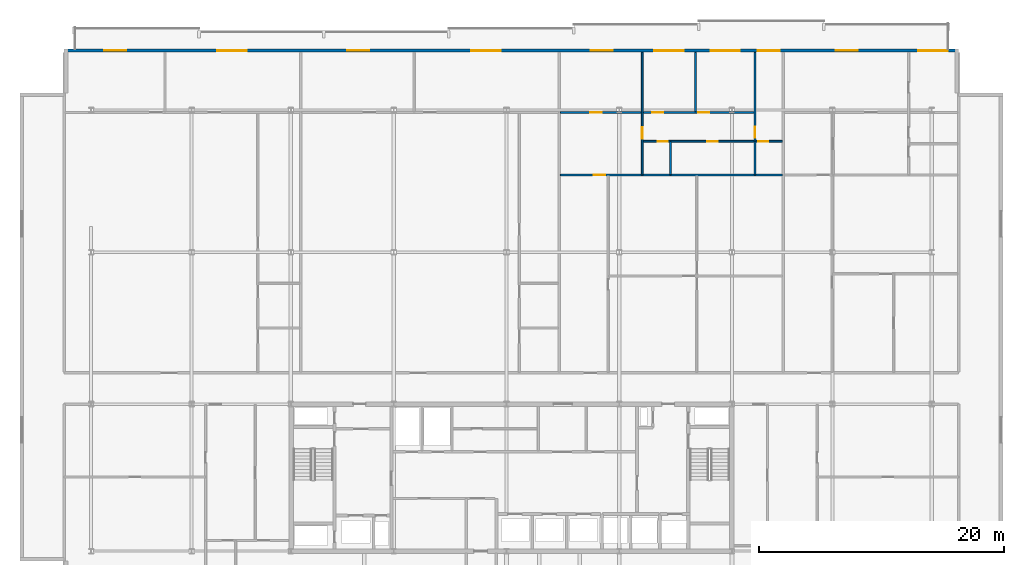
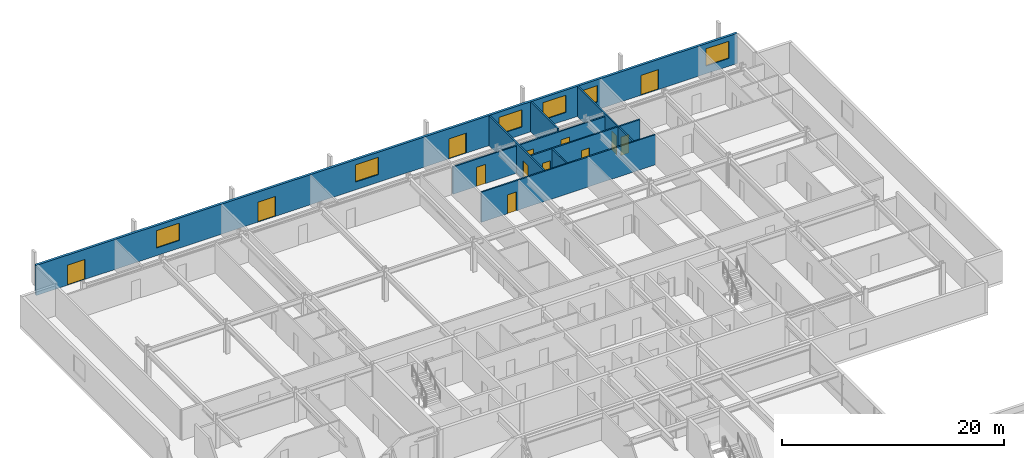
# One storey, part 28 of 36: 13 doors, 9 walls, 6 windows, 19 openings.
"""IFC4 building model written with IfcOpenShell, lengths in metres."""

from ifc_helpers import new_model, si_unit, direction, frame, frame_2d, origin, place, context, subcontext, project, spatial, rectangle, extrude, material, layer, layer_set, type_object, element, fill, save


model = new_model("IFC4")

# Units and contexts
model_context = context("Model", 3, precision=1e-05, world=origin(), true_north=direction((0.0, 1.0)))
body_context = subcontext(model_context, "Body", "Model", "MODEL_VIEW")
ifc_project = project(units=[si_unit("LENGTHUNIT", "METRE"), si_unit("AREAUNIT", "SQUARE_METRE"), si_unit("VOLUMEUNIT", "CUBIC_METRE"), si_unit("PLANEANGLEUNIT", "RADIAN"), si_unit("MASSUNIT", "GRAM", prefix="KILO")], contexts=[model_context])

# Site, building, storey
site_placement = place(None, origin())
site = spatial("IfcSite", under=ifc_project, at=site_placement, CompositionType="ELEMENT")
building_placement = place(site_placement, origin())
building = spatial("IfcBuilding", under=site, at=building_placement, Name="Korimba Cascade Residences", CompositionType="ELEMENT")
storey_placement = place(building_placement, frame((0.0, 0.0, 142.89990234375)))
storey = spatial("IfcBuildingStorey", under=building, at=storey_placement, Name="L41", CompositionType="ELEMENT", Elevation=142.89990234375)

# Wall, openings, doors, windows
ifc_material_1 = material(Name="Precast concrete C40/50", Category="concrete")
ifc_layer_1 = layer(ifc_material_1, 0.25)
ifc_layer_set_1 = layer_set([ifc_layer_1], Name="Precast concrete C40/50")
wall_type_1 = type_object("IfcWallType", Name="EW-LOG-250", PredefinedType="STANDARD", material=ifc_layer_set_1)
wall_1_placement = place(storey_placement, frame((130.60009765625, 96.050048828125, 0.0), z_axis=(0.0, 0.0, 1.0), x_axis=(-1.0, 0.0, 0.0)))
wall_1 = element("IfcWall", 1, at=wall_1_placement, inside=storey, type_object=wall_type_1, Name="L41 T1 Perimeter Stone Wall E06", PredefinedType="STANDARD", context=body_context, shape_type="SweptSolid", body=[
    extrude(rectangle(XDim=73.0, YDim=0.25, at=frame_2d((36.5, 0.0))), origin(), (0.0, 0.0, 1.0), 3.31005859375),
])
opening_1_placement = place(wall_1_placement, frame((67.92138671875, 0.0, 0.0)))
opening_1 = element("IfcOpeningElement", 2, at=opening_1_placement, cuts=wall_1, Name="Opening D-LG1", PredefinedType="OPENING", context=body_context, shape_type="SweptSolid", body=[
    extrude(rectangle(XDim=1.800048828125, YDim=2.199951171875, at=frame_2d((0.89990234375, 1.10009765625))), frame((0.0, 0.135009765625, 0.0), z_axis=(0.0, -1.0, 0.0), x_axis=(1.0, 0.0, 0.0)), (0.0, 0.0, 1.0), 0.27001953125),
])
opening_2_placement = place(wall_1_placement, frame((58.084228515625, 0.0, 0.85009765625)))
opening_2 = element("IfcOpeningElement", 3, at=opening_2_placement, cuts=wall_1, Name="Opening W-01", PredefinedType="OPENING", context=body_context, shape_type="SweptSolid", body=[
    extrude(rectangle(XDim=2.39990234375, YDim=1.89990234375, at=frame_2d((1.199951171875, 0.949951171875))), frame((0.0, 0.135009765625, 0.0), z_axis=(0.0, -1.0, 0.0), x_axis=(1.0, 0.0, 0.0)), (0.0, 0.0, 1.0), 0.27001953125),
])
opening_3_placement = place(wall_1_placement, frame((48.101318359375, 0.0, 0.0)))
opening_3 = element("IfcOpeningElement", 4, at=opening_3_placement, cuts=wall_1, Name="Opening D-LG1", PredefinedType="OPENING", context=body_context, shape_type="SweptSolid", body=[
    extrude(rectangle(XDim=1.800048828125, YDim=2.199951171875, at=frame_2d((0.89990234375, 1.10009765625))), frame((0.0, 0.135009765625, 0.0), z_axis=(0.0, -1.0, 0.0), x_axis=(1.0, 0.0, 0.0)), (0.0, 0.0, 1.0), 0.27001953125),
])
opening_4_placement = place(wall_1_placement, frame((37.367919921875, 0.0, 0.85009765625)))
opening_4 = element("IfcOpeningElement", 5, at=opening_4_placement, cuts=wall_1, Name="Opening W-01", PredefinedType="OPENING", context=body_context, shape_type="SweptSolid", body=[
    extrude(rectangle(XDim=2.39990234375, YDim=1.89990234375, at=frame_2d((1.199951171875, 0.949951171875))), frame((0.0, 0.135009765625, 0.0), z_axis=(0.0, -1.0, 0.0), x_axis=(1.0, 0.0, 0.0)), (0.0, 0.0, 1.0), 0.27001953125),
])
opening_5_placement = place(wall_1_placement, frame((22.445068359375, 0.0, 0.85009765625)))
opening_5 = element("IfcOpeningElement", 6, at=opening_5_placement, cuts=wall_1, Name="Opening W-01", PredefinedType="OPENING", context=body_context, shape_type="SweptSolid", body=[
    extrude(rectangle(XDim=2.39990234375, YDim=1.89990234375, at=frame_2d((1.199951171875, 0.949951171875))), frame((0.0, 0.135009765625, 0.0), z_axis=(0.0, -1.0, 0.0), x_axis=(1.0, 0.0, 0.0)), (0.0, 0.0, 1.0), 0.27001953125),
])
opening_6_placement = place(wall_1_placement, frame((17.844970703125, 0.0, 0.85009765625)))
opening_6 = element("IfcOpeningElement", 7, at=opening_6_placement, cuts=wall_1, Name="Opening W-01", PredefinedType="OPENING", context=body_context, shape_type="SweptSolid", body=[
    extrude(rectangle(XDim=2.39990234375, YDim=1.89990234375, at=frame_2d((1.199951171875, 0.949951171875))), frame((0.0, 0.135009765625, 0.0), z_axis=(0.0, -1.0, 0.0), x_axis=(1.0, 0.0, 0.0)), (0.0, 0.0, 1.0), 0.27001953125),
])
opening_7_placement = place(wall_1_placement, frame((28.2392578125, 0.0, 0.0)))
opening_7 = element("IfcOpeningElement", 8, at=opening_7_placement, cuts=wall_1, Name="Opening D-LG1", PredefinedType="OPENING", context=body_context, shape_type="SweptSolid", body=[
    extrude(rectangle(XDim=1.800048828125, YDim=2.199951171875, at=frame_2d((0.89990234375, 1.10009765625))), frame((0.0, 0.135009765625, 0.0), z_axis=(0.0, -1.0, 0.0), x_axis=(1.0, 0.0, 0.0)), (0.0, 0.0, 1.0), 0.27001953125),
])
opening_8_placement = place(wall_1_placement, frame((14.5986328125, 0.0, 0.85009765625)))
opening_8 = element("IfcOpeningElement", 9, at=opening_8_placement, cuts=wall_1, Name="Opening W-02", PredefinedType="OPENING", context=body_context, shape_type="SweptSolid", body=[
    extrude(rectangle(XDim=1.800048828125, YDim=1.800048828125, at=frame_2d((0.89990234375, 0.89990234375))), frame((0.0, 0.135009765625, 0.0), z_axis=(0.0, -1.0, 0.0), x_axis=(1.0, 0.0, 0.0)), (0.0, 0.0, 1.0), 0.27001953125),
])
opening_9_placement = place(wall_1_placement, frame((8.233642578125, 0.0, 0.0)))
opening_9 = element("IfcOpeningElement", 10, at=opening_9_placement, cuts=wall_1, Name="Opening D-LG1", PredefinedType="OPENING", context=body_context, shape_type="SweptSolid", body=[
    extrude(rectangle(XDim=1.800048828125, YDim=2.199951171875, at=frame_2d((0.89990234375, 1.10009765625))), frame((0.0, 0.135009765625, 0.0), z_axis=(0.0, -1.0, 0.0), x_axis=(1.0, 0.0, 0.0)), (0.0, 0.0, 1.0), 0.27001953125),
])
opening_10_placement = place(wall_1_placement, frame((0.89990234375, 0.0, 0.85009765625)))
opening_10 = element("IfcOpeningElement", 11, at=opening_10_placement, cuts=wall_1, Name="Opening W-01", PredefinedType="OPENING", context=body_context, shape_type="SweptSolid", body=[
    extrude(rectangle(XDim=2.39990234375, YDim=1.89990234375, at=frame_2d((1.199951171875, 0.949951171875))), frame((0.0, 0.135009765625, 0.0), z_axis=(0.0, -1.0, 0.0), x_axis=(1.0, 0.0, 0.0)), (0.0, 0.0, 1.0), 0.27001953125),
])
ifc_material_2 = material(Name="Glazed Aluminium Loggia Sliding Door", Category="aluminium")
door_type_1 = type_object("IfcDoorType", Name="DR-EXT-LOG", OperationType="NOTDEFINED", PredefinedType="DOOR", material=ifc_material_2)
door_1_placement = place(opening_1_placement, origin())
door_1 = element("IfcDoor", 12, at=door_1_placement, inside=storey, type_object=door_type_1, Name="L41 T1 Loggia Sliding Door 3", OperationType="SLIDING_TO_LEFT", OverallHeight=2.199951171875, OverallWidth=1.800048828125, PredefinedType="DOOR", context=body_context, shape_type="SweptSolid", body=[
    extrude(rectangle(XDim=1.800048828125, YDim=2.199951171875, at=frame_2d((0.89990234375, 1.10009765625))), frame((0.0, 0.02490234375, 0.0), z_axis=(0.0, -1.0, 0.0), x_axis=(1.0, 0.0, 0.0)), (0.0, 0.0, 1.0), 0.050048828125),
])
fill(opening_1, door_1)
door_2_placement = place(opening_3_placement, origin())
door_2 = element("IfcDoor", 13, at=door_2_placement, inside=storey, type_object=door_type_1, Name="L41 T1 Loggia Sliding Door 5", OperationType="SLIDING_TO_LEFT", OverallHeight=2.199951171875, OverallWidth=1.800048828125, PredefinedType="DOOR", context=body_context, shape_type="SweptSolid", body=[
    extrude(rectangle(XDim=1.800048828125, YDim=2.199951171875, at=frame_2d((0.89990234375, 1.10009765625))), frame((0.0, 0.02490234375, 0.0), z_axis=(0.0, -1.0, 0.0), x_axis=(1.0, 0.0, 0.0)), (0.0, 0.0, 1.0), 0.050048828125),
])
fill(opening_3, door_2)
door_3_placement = place(opening_7_placement, origin())
door_3 = element("IfcDoor", 14, at=door_3_placement, inside=storey, type_object=door_type_1, Name="L41 T1 Loggia Sliding Door 9", OperationType="SLIDING_TO_LEFT", OverallHeight=2.199951171875, OverallWidth=1.800048828125, PredefinedType="DOOR", context=body_context, shape_type="SweptSolid", body=[
    extrude(rectangle(XDim=1.800048828125, YDim=2.199951171875, at=frame_2d((0.89990234375, 1.10009765625))), frame((0.0, 0.02490234375, 0.0), z_axis=(0.0, -1.0, 0.0), x_axis=(1.0, 0.0, 0.0)), (0.0, 0.0, 1.0), 0.050048828125),
])
fill(opening_7, door_3)
door_4_placement = place(opening_9_placement, origin())
door_4 = element("IfcDoor", 15, at=door_4_placement, inside=storey, type_object=door_type_1, Name="L41 T1 Loggia Sliding Door 11", OperationType="SLIDING_TO_LEFT", OverallHeight=2.199951171875, OverallWidth=1.800048828125, PredefinedType="DOOR", context=body_context, shape_type="SweptSolid", body=[
    extrude(rectangle(XDim=1.800048828125, YDim=2.199951171875, at=frame_2d((0.89990234375, 1.10009765625))), frame((0.0, 0.02490234375, 0.0), z_axis=(0.0, -1.0, 0.0), x_axis=(1.0, 0.0, 0.0)), (0.0, 0.0, 1.0), 0.050048828125),
])
fill(opening_9, door_4)
ifc_material_3 = material(Name="Double-Glazed Aluminium Window", Category="aluminium")
window_type_1 = type_object("IfcWindowType", Name="WIN-BED-1800", PartitioningType="SINGLE_PANEL", PredefinedType="WINDOW", material=ifc_material_3)
window_1_placement = place(opening_8_placement, origin())
window_1 = element("IfcWindow", 16, at=window_1_placement, inside=storey, type_object=window_type_1, Name="L41 T1 North Facade Window 10", OverallHeight=1.800048828125, OverallWidth=1.800048828125, PartitioningType="SINGLE_PANEL", PredefinedType="WINDOW", context=body_context, shape_type="SweptSolid", body=[
    extrude(rectangle(XDim=1.800048828125, YDim=1.800048828125, at=frame_2d((0.89990234375, 0.89990234375))), frame((0.0, 0.030029296875, 0.0), z_axis=(0.0, -1.0, 0.0), x_axis=(1.0, 0.0, 0.0)), (0.0, 0.0, 1.0), 0.06005859375),
])
fill(opening_8, window_1)
window_type_2 = type_object("IfcWindowType", Name="WIN-RES-2400", PartitioningType="DOUBLE_PANEL_VERTICAL", PredefinedType="WINDOW", material=ifc_material_3)
window_2_placement = place(opening_2_placement, origin())
window_2 = element("IfcWindow", 17, at=window_2_placement, inside=storey, type_object=window_type_2, Name="L41 T1 North Facade Window 4", OverallHeight=1.89990234375, OverallWidth=2.39990234375, PartitioningType="DOUBLE_PANEL_VERTICAL", PredefinedType="WINDOW", context=body_context, shape_type="SweptSolid", body=[
    extrude(rectangle(XDim=2.39990234375, YDim=1.89990234375, at=frame_2d((1.199951171875, 0.949951171875))), frame((0.0, 0.030029296875, 0.0), z_axis=(0.0, -1.0, 0.0), x_axis=(1.0, 0.0, 0.0)), (0.0, 0.0, 1.0), 0.06005859375),
])
fill(opening_2, window_2)
window_3_placement = place(opening_4_placement, origin())
window_3 = element("IfcWindow", 18, at=window_3_placement, inside=storey, type_object=window_type_2, Name="L41 T1 North Facade Window 6", OverallHeight=1.89990234375, OverallWidth=2.39990234375, PartitioningType="DOUBLE_PANEL_VERTICAL", PredefinedType="WINDOW", context=body_context, shape_type="SweptSolid", body=[
    extrude(rectangle(XDim=2.39990234375, YDim=1.89990234375, at=frame_2d((1.199951171875, 0.949951171875))), frame((0.0, 0.030029296875, 0.0), z_axis=(0.0, -1.0, 0.0), x_axis=(1.0, 0.0, 0.0)), (0.0, 0.0, 1.0), 0.06005859375),
])
fill(opening_4, window_3)
window_4_placement = place(opening_5_placement, origin())
window_4 = element("IfcWindow", 19, at=window_4_placement, inside=storey, type_object=window_type_2, Name="L41 T1 North Facade Window 7", OverallHeight=1.89990234375, OverallWidth=2.39990234375, PartitioningType="DOUBLE_PANEL_VERTICAL", PredefinedType="WINDOW", context=body_context, shape_type="SweptSolid", body=[
    extrude(rectangle(XDim=2.39990234375, YDim=1.89990234375, at=frame_2d((1.199951171875, 0.949951171875))), frame((0.0, 0.030029296875, 0.0), z_axis=(0.0, -1.0, 0.0), x_axis=(1.0, 0.0, 0.0)), (0.0, 0.0, 1.0), 0.06005859375),
])
fill(opening_5, window_4)
window_5_placement = place(opening_6_placement, origin())
window_5 = element("IfcWindow", 20, at=window_5_placement, inside=storey, type_object=window_type_2, Name="L41 T1 North Facade Window 8", OverallHeight=1.89990234375, OverallWidth=2.39990234375, PartitioningType="DOUBLE_PANEL_VERTICAL", PredefinedType="WINDOW", context=body_context, shape_type="SweptSolid", body=[
    extrude(rectangle(XDim=2.39990234375, YDim=1.89990234375, at=frame_2d((1.199951171875, 0.949951171875))), frame((0.0, 0.030029296875, 0.0), z_axis=(0.0, -1.0, 0.0), x_axis=(1.0, 0.0, 0.0)), (0.0, 0.0, 1.0), 0.06005859375),
])
fill(opening_6, window_5)
window_6_placement = place(opening_10_placement, origin())
window_6 = element("IfcWindow", 21, at=window_6_placement, inside=storey, type_object=window_type_2, Name="L41 T1 North Facade Window 12", OverallHeight=1.89990234375, OverallWidth=2.39990234375, PartitioningType="DOUBLE_PANEL_VERTICAL", PredefinedType="WINDOW", context=body_context, shape_type="SweptSolid", body=[
    extrude(rectangle(XDim=2.39990234375, YDim=1.89990234375, at=frame_2d((1.199951171875, 0.949951171875))), frame((0.0, 0.030029296875, 0.0), z_axis=(0.0, -1.0, 0.0), x_axis=(1.0, 0.0, 0.0)), (0.0, 0.0, 1.0), 0.06005859375),
])
fill(opening_10, window_6)

# Walls
ifc_material_4 = material(Name="Insulated Acoustic Stud Partition", Category="gypsum")
ifc_layer_2 = layer(ifc_material_4, 0.14990234375)
ifc_layer_set_2 = layer_set([ifc_layer_2], Name="Insulated Acoustic Stud Partition")
wall_type_2 = type_object("IfcWallType", Name="WAL-PART-150", PredefinedType="PARTITIONING", material=ifc_layer_set_2)
wall_2_placement = place(storey_placement, frame((107.090087890625, 85.93994140625, 0.0), z_axis=(0.0, 0.0, 1.0), x_axis=(0.0, 1.0, 0.0)))
element("IfcWall", 22, at=wall_2_placement, inside=storey, type_object=wall_type_2, Name="L41 Partition Wall WAL-L41-T1-U03-VDRS", PredefinedType="PARTITIONING", context=body_context, shape_type="SweptSolid", body=[
    extrude(rectangle(XDim=2.68994140625, YDim=0.14990234375, at=frame_2d((1.344970703125, 0.0))), origin(), (0.0, 0.0, 1.0), 3.31005859375),
])
wall_3_placement = place(storey_placement, frame((109.1298828125, 91.080078125, 0.0), z_axis=(0.0, 0.0, 1.0), x_axis=(0.0, 1.0, 0.0)))
element("IfcWall", 23, at=wall_3_placement, inside=storey, type_object=wall_type_2, Name="L41 Partition Wall WAL-L41-T1-U03-VSTD", PredefinedType="PARTITIONING", context=body_context, shape_type="SweptSolid", body=[
    extrude(rectangle(XDim=4.81982421875, YDim=0.14990234375, at=frame_2d((2.409912109375, 0.0))), origin(), (0.0, 0.0, 1.0), 3.31005859375),
])

# Wall, opening, door
wall_4_placement = place(storey_placement, frame((104.780029296875, 85.93994140625, 0.0), z_axis=(0.0, 0.0, 1.0), x_axis=(0.0, 1.0, 0.0)))
wall_4 = element("IfcWall", 24, at=wall_4_placement, inside=storey, type_object=wall_type_2, Name="L41 Partition Wall WAL-L41-T1-U03-V1", PredefinedType="PARTITIONING", context=body_context, shape_type="SweptSolid", body=[
    extrude(rectangle(XDim=9.9599609375, YDim=0.14990234375, at=frame_2d((4.97998046875, 0.0))), origin(), (0.0, 0.0, 1.0), 3.31005859375),
])
opening_11_placement = place(wall_4_placement, frame((2.93603515625, 0.0, 0.0)))
opening_11 = element("IfcOpeningElement", 25, at=opening_11_placement, cuts=wall_4, Name="Opening D-IN1", PredefinedType="OPENING", context=body_context, shape_type="SweptSolid", body=[
    extrude(rectangle(XDim=0.919921875, YDim=2.080078125, at=frame_2d((0.4599609375, 1.0400390625))), frame((0.0, 0.0849609375, 0.0), z_axis=(0.0, -1.0, 0.0), x_axis=(1.0, 0.0, 0.0)), (0.0, 0.0, 1.0), 0.169921875),
])
ifc_material_5 = material(Name="Acoustic Timber Living Door", Category="wood")
door_type_2 = type_object("IfcDoorType", Name="DR-INT-920", OperationType="NOTDEFINED", PredefinedType="DOOR", material=ifc_material_5)
door_5_placement = place(opening_11_placement, origin())
door_5 = element("IfcDoor", 26, at=door_5_placement, inside=storey, type_object=door_type_2, Name="L41-T1-U03 Hallway Door", OperationType="SINGLE_SWING_LEFT", OverallHeight=2.080078125, OverallWidth=0.919921875, PredefinedType="DOOR", context=body_context, shape_type="SweptSolid", body=[
    extrude(rectangle(XDim=0.919921875, YDim=2.080078125, at=frame_2d((0.4599609375, 1.0400390625))), frame((0.0, 0.02490234375, 0.0), z_axis=(0.0, -1.0, 0.0), x_axis=(1.0, 0.0, 0.0)), (0.0, 0.0, 1.0), 0.050048828125),
])
fill(opening_11, door_5)

# Wall
wall_5_placement = place(storey_placement, frame((113.97998046875, 85.93994140625, 0.0), z_axis=(0.0, 0.0, 1.0), x_axis=(0.0, 1.0, 0.0)))
element("IfcWall", 27, at=wall_5_placement, inside=storey, type_object=wall_type_2, Name="L41 Partition Wall WAL-L41-T1-U03-VBATH", PredefinedType="PARTITIONING", context=body_context, shape_type="SweptSolid", body=[
    extrude(rectangle(XDim=2.68994140625, YDim=0.14990234375, at=frame_2d((1.344970703125, 0.0))), origin(), (0.0, 0.0, 1.0), 3.31005859375),
])

# Wall, opening, door
wall_6_placement = place(storey_placement, frame((113.97998046875, 88.669921875, 0.0), z_axis=(0.0, 0.0, 1.0), x_axis=(0.0, 1.0, 0.0)))
wall_6 = element("IfcWall", 28, at=wall_6_placement, inside=storey, type_object=wall_type_2, Name="L41 Partition Wall WAL-L41-T1-U03-V2FULL", PredefinedType="PARTITIONING", context=body_context, shape_type="SweptSolid", body=[
    extrude(rectangle(XDim=7.22998046875, YDim=0.14990234375, at=frame_2d((3.614990234375, 0.0))), origin(), (0.0, 0.0, 1.0), 3.31005859375),
])
opening_12_placement = place(wall_6_placement, frame((0.260009765625, 0.0, 0.0)))
opening_12 = element("IfcOpeningElement", 29, at=opening_12_placement, cuts=wall_6, Name="Opening D-IN1", PredefinedType="OPENING", context=body_context, shape_type="SweptSolid", body=[
    extrude(rectangle(XDim=0.919921875, YDim=2.080078125, at=frame_2d((0.4599609375, 1.0400390625))), frame((0.0, 0.0849609375, 0.0), z_axis=(0.0, -1.0, 0.0), x_axis=(1.0, 0.0, 0.0)), (0.0, 0.0, 1.0), 0.169921875),
])
door_6_placement = place(opening_12_placement, origin())
door_6 = element("IfcDoor", 30, at=door_6_placement, inside=storey, type_object=door_type_2, Name="L41-T1-U03 Master Bedroom Door", OperationType="SINGLE_SWING_RIGHT", OverallHeight=2.080078125, OverallWidth=0.919921875, PredefinedType="DOOR", context=body_context, shape_type="SweptSolid", body=[
    extrude(rectangle(XDim=0.919921875, YDim=2.080078125, at=frame_2d((0.4599609375, 1.0400390625))), frame((0.0, 0.02490234375, 0.0), z_axis=(0.0, -1.0, 0.0), x_axis=(1.0, 0.0, 0.0)), (0.0, 0.0, 1.0), 0.050048828125),
])
fill(opening_12, door_6)

# Wall, openings, doors
wall_7_placement = place(storey_placement, frame((104.820068359375, 88.64990234375, 0.0), z_axis=(0.0, 0.0, 1.0), x_axis=(1.0, 0.0, 0.0)))
wall_7 = element("IfcWall", 31, at=wall_7_placement, inside=storey, type_object=wall_type_2, Name="L41 Partition Wall WAL-L41-T1-U03-HWALL", PredefinedType="PARTITIONING", context=body_context, shape_type="SweptSolid", body=[
    extrude(rectangle(XDim=11.392822265625, YDim=0.14990234375, at=frame_2d((5.6962890625, 0.0))), origin(), (0.0, 0.0, 1.0), 3.31005859375),
])
opening_13_placement = place(wall_7_placement, frame((1.2099609375, 0.0, 0.0)))
opening_13 = element("IfcOpeningElement", 32, at=opening_13_placement, cuts=wall_7, Name="Opening D-BT1", PredefinedType="OPENING", context=body_context, shape_type="SweptSolid", body=[
    extrude(rectangle(XDim=0.840087890625, YDim=2.0400390625, at=frame_2d((0.419921875, 1.02001953125))), frame((0.0, 0.0849609375, 0.0), z_axis=(0.0, -1.0, 0.0), x_axis=(1.0, 0.0, 0.0)), (0.0, 0.0, 1.0), 0.169921875),
])
opening_14_placement = place(wall_7_placement, frame((5.2763671875, 0.0, 0.0)))
opening_14 = element("IfcOpeningElement", 33, at=opening_14_placement, cuts=wall_7, Name="Opening D-BT1", PredefinedType="OPENING", context=body_context, shape_type="SweptSolid", body=[
    extrude(rectangle(XDim=0.840087890625, YDim=2.0400390625, at=frame_2d((0.419921875, 1.02001953125))), frame((0.0, 0.0849609375, 0.0), z_axis=(0.0, -1.0, 0.0), x_axis=(1.0, 0.0, 0.0)), (0.0, 0.0, 1.0), 0.169921875),
])
opening_15_placement = place(wall_7_placement, frame((9.409912109375, 0.0, 0.0)))
opening_15 = element("IfcOpeningElement", 34, at=opening_15_placement, cuts=wall_7, Name="Opening D-BT1", PredefinedType="OPENING", context=body_context, shape_type="SweptSolid", body=[
    extrude(rectangle(XDim=0.840087890625, YDim=2.0400390625, at=frame_2d((0.419921875, 1.02001953125))), frame((0.0, 0.0849609375, 0.0), z_axis=(0.0, -1.0, 0.0), x_axis=(1.0, 0.0, 0.0)), (0.0, 0.0, 1.0), 0.169921875),
])
ifc_material_6 = material(Name="Moisture-Resistant Bathroom Timber Door", Category="wood")
door_type_3 = type_object("IfcDoorType", Name="DR-INT-850", OperationType="NOTDEFINED", PredefinedType="DOOR", material=ifc_material_6)
door_7_placement = place(opening_13_placement, origin())
door_7 = element("IfcDoor", 35, at=door_7_placement, inside=storey, type_object=door_type_3, Name="L41-T1-U03 Family Bathroom Door", OperationType="SINGLE_SWING_LEFT", OverallHeight=2.0400390625, OverallWidth=0.840087890625, PredefinedType="DOOR", context=body_context, shape_type="SweptSolid", body=[
    extrude(rectangle(XDim=0.840087890625, YDim=2.0400390625, at=frame_2d((0.419921875, 1.02001953125))), frame((0.0, 0.02490234375, 0.0), z_axis=(0.0, -1.0, 0.0), x_axis=(1.0, 0.0, 0.0)), (0.0, 0.0, 1.0), 0.050048828125),
])
fill(opening_13, door_7)
door_8_placement = place(opening_14_placement, origin())
door_8 = element("IfcDoor", 36, at=door_8_placement, inside=storey, type_object=door_type_3, Name="L41-T1-U03 Dressing Room Door", OperationType="SINGLE_SWING_RIGHT", OverallHeight=2.0400390625, OverallWidth=0.840087890625, PredefinedType="DOOR", context=body_context, shape_type="SweptSolid", body=[
    extrude(rectangle(XDim=0.840087890625, YDim=2.0400390625, at=frame_2d((0.419921875, 1.02001953125))), frame((0.0, 0.02490234375, 0.0), z_axis=(0.0, -1.0, 0.0), x_axis=(1.0, 0.0, 0.0)), (0.0, 0.0, 1.0), 0.050048828125),
])
fill(opening_14, door_8)
door_9_placement = place(opening_15_placement, origin())
door_9 = element("IfcDoor", 37, at=door_9_placement, inside=storey, type_object=door_type_3, Name="L41-T1-U03 En-Suite Door", OperationType="SINGLE_SWING_LEFT", OverallHeight=2.0400390625, OverallWidth=0.840087890625, PredefinedType="DOOR", context=body_context, shape_type="SweptSolid", body=[
    extrude(rectangle(XDim=0.840087890625, YDim=2.0400390625, at=frame_2d((0.419921875, 1.02001953125))), frame((0.0, 0.02490234375, 0.0), z_axis=(0.0, -1.0, 0.0), x_axis=(1.0, 0.0, 0.0)), (0.0, 0.0, 1.0), 0.050048828125),
])
fill(opening_15, door_9)

# Wall, opening, door
wall_8_placement = place(storey_placement, frame((98.101318359375, 85.89990234375, 0.0), z_axis=(0.0, 0.0, 1.0), x_axis=(1.0, 0.0, 0.0)))
wall_8 = element("IfcWall", 38, at=wall_8_placement, inside=storey, type_object=wall_type_2, Name="L41 Partition Wall WAL-L41-T1-U03-MW", PredefinedType="PARTITIONING", context=body_context, shape_type="SweptSolid", body=[
    extrude(rectangle(XDim=18.111572265625, YDim=0.14990234375, at=frame_2d((9.0556640625, 0.0))), origin(), (0.0, 0.0, 1.0), 3.31005859375),
])
opening_16_placement = place(wall_8_placement, frame((2.719970703125, 0.0, 0.0)))
opening_16 = element("IfcOpeningElement", 39, at=opening_16_placement, cuts=wall_8, Name="Opening D-IN1", PredefinedType="OPENING", context=body_context, shape_type="SweptSolid", body=[
    extrude(rectangle(XDim=0.919921875, YDim=2.080078125, at=frame_2d((0.4599609375, 1.0400390625))), frame((0.0, 0.0849609375, 0.0), z_axis=(0.0, -1.0, 0.0), x_axis=(1.0, 0.0, 0.0)), (0.0, 0.0, 1.0), 0.169921875),
])
door_10_placement = place(opening_16_placement, origin())
door_10 = element("IfcDoor", 40, at=door_10_placement, inside=storey, type_object=door_type_2, Name="L41-T1-U03 Kitchen Door", OperationType="SINGLE_SWING_RIGHT", OverallHeight=2.080078125, OverallWidth=0.919921875, PredefinedType="DOOR", context=body_context, shape_type="SweptSolid", body=[
    extrude(rectangle(XDim=0.919921875, YDim=2.080078125, at=frame_2d((0.4599609375, 1.0400390625))), frame((0.0, 0.02490234375, 0.0), z_axis=(0.0, -1.0, 0.0), x_axis=(1.0, 0.0, 0.0)), (0.0, 0.0, 1.0), 0.050048828125),
])
fill(opening_16, door_10)

# Wall, openings, doors
wall_9_placement = place(storey_placement, frame((98.101318359375, 91.0, 0.0), z_axis=(0.0, 0.0, 1.0), x_axis=(1.0, 0.0, 0.0)))
wall_9 = element("IfcWall", 41, at=wall_9_placement, inside=storey, type_object=wall_type_2, Name="L41 Partition Wall WAL-L41-T1-U03-HZ", PredefinedType="PARTITIONING", context=body_context, shape_type="SweptSolid", body=[
    extrude(rectangle(XDim=15.878662109375, YDim=0.14990234375, at=frame_2d((7.939453125, 0.0))), origin(), (0.0, 0.0, 1.0), 3.00341796875),
])
opening_17_placement = place(wall_9_placement, frame((2.4501953125, 0.0, 0.0)))
opening_17 = element("IfcOpeningElement", 42, at=opening_17_placement, cuts=wall_9, Name="Opening D-IN0", PredefinedType="OPENING", context=body_context, shape_type="SweptSolid", body=[
    extrude(rectangle(XDim=0.93994140625, YDim=2.10009765625, at=frame_2d((0.469970703125, 1.050048828125))), frame((0.0, 0.0849609375, 0.0), z_axis=(0.0, -1.0, 0.0), x_axis=(1.0, 0.0, 0.0)), (0.0, 0.0, 1.0), 0.169921875),
])
opening_18_placement = place(wall_9_placement, frame((7.499267578125, 0.0, 0.0)))
opening_18 = element("IfcOpeningElement", 43, at=opening_18_placement, cuts=wall_9, Name="Opening D-IN2", PredefinedType="OPENING", context=body_context, shape_type="SweptSolid", body=[
    extrude(rectangle(XDim=0.8798828125, YDim=2.06005859375, at=frame_2d((0.43994140625, 1.030029296875))), frame((0.0, 0.0849609375, 0.0), z_axis=(0.0, -1.0, 0.0), x_axis=(1.0, 0.0, 0.0)), (0.0, 0.0, 1.0), 0.169921875),
])
opening_19_placement = place(wall_9_placement, frame((11.24853515625, 0.0, 0.0)))
opening_19 = element("IfcOpeningElement", 44, at=opening_19_placement, cuts=wall_9, Name="Opening D-IN2", PredefinedType="OPENING", context=body_context, shape_type="SweptSolid", body=[
    extrude(rectangle(XDim=0.8798828125, YDim=2.06005859375, at=frame_2d((0.43994140625, 1.030029296875))), frame((0.0, 0.0849609375, 0.0), z_axis=(0.0, -1.0, 0.0), x_axis=(1.0, 0.0, 0.0)), (0.0, 0.0, 1.0), 0.169921875),
])
ifc_material_7 = material(Name="Acoustic Timber Bedroom Door", Category="wood")
door_type_4 = type_object("IfcDoorType", Name="DR-INT-880", OperationType="NOTDEFINED", PredefinedType="DOOR", material=ifc_material_7)
door_11_placement = place(opening_18_placement, origin())
door_11 = element("IfcDoor", 45, at=door_11_placement, inside=storey, type_object=door_type_4, Name="L41-T1-U03 Bedroom 2 Door", OperationType="SINGLE_SWING_RIGHT", OverallHeight=2.06005859375, OverallWidth=0.8798828125, PredefinedType="DOOR", context=body_context, shape_type="SweptSolid", body=[
    extrude(rectangle(XDim=0.8798828125, YDim=2.06005859375, at=frame_2d((0.43994140625, 1.030029296875))), frame((0.0, 0.02490234375, 0.0), z_axis=(0.0, -1.0, 0.0), x_axis=(1.0, 0.0, 0.0)), (0.0, 0.0, 1.0), 0.050048828125),
])
fill(opening_18, door_11)
door_12_placement = place(opening_19_placement, origin())
door_12 = element("IfcDoor", 46, at=door_12_placement, inside=storey, type_object=door_type_4, Name="L41-T1-U03 Study Door", OperationType="SINGLE_SWING_LEFT", OverallHeight=2.06005859375, OverallWidth=0.8798828125, PredefinedType="DOOR", context=body_context, shape_type="SweptSolid", body=[
    extrude(rectangle(XDim=0.8798828125, YDim=2.06005859375, at=frame_2d((0.43994140625, 1.030029296875))), frame((0.0, 0.02490234375, 0.0), z_axis=(0.0, -1.0, 0.0), x_axis=(1.0, 0.0, 0.0)), (0.0, 0.0, 1.0), 0.050048828125),
])
fill(opening_19, door_12)
ifc_material_8 = material(Name="Acoustic Timber Living Archway Door", Category="wood")
door_type_5 = type_object("IfcDoorType", Name="DR-INT-950", OperationType="NOTDEFINED", PredefinedType="DOOR", material=ifc_material_8)
door_13_placement = place(opening_17_placement, origin())
door_13 = element("IfcDoor", 47, at=door_13_placement, inside=storey, type_object=door_type_5, Name="L41-T1-U03 Living Room Door", OperationType="SINGLE_SWING_LEFT", OverallHeight=2.10009765625, OverallWidth=0.93994140625, PredefinedType="DOOR", context=body_context, shape_type="SweptSolid", body=[
    extrude(rectangle(XDim=0.93994140625, YDim=2.10009765625, at=frame_2d((0.469970703125, 1.050048828125))), frame((0.0, 0.02490234375, 0.0), z_axis=(0.0, -1.0, 0.0), x_axis=(1.0, 0.0, 0.0)), (0.0, 0.0, 1.0), 0.050048828125),
])
fill(opening_17, door_13)

save(model, "model.ifc")
